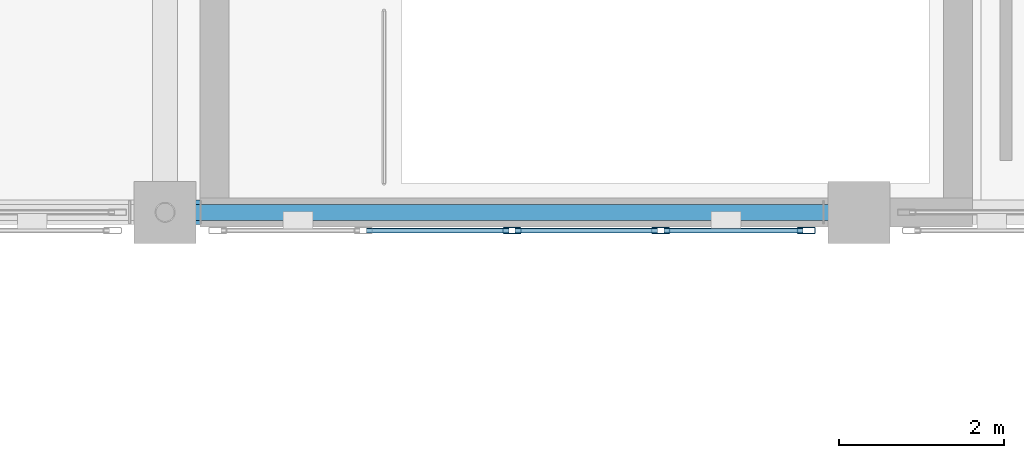
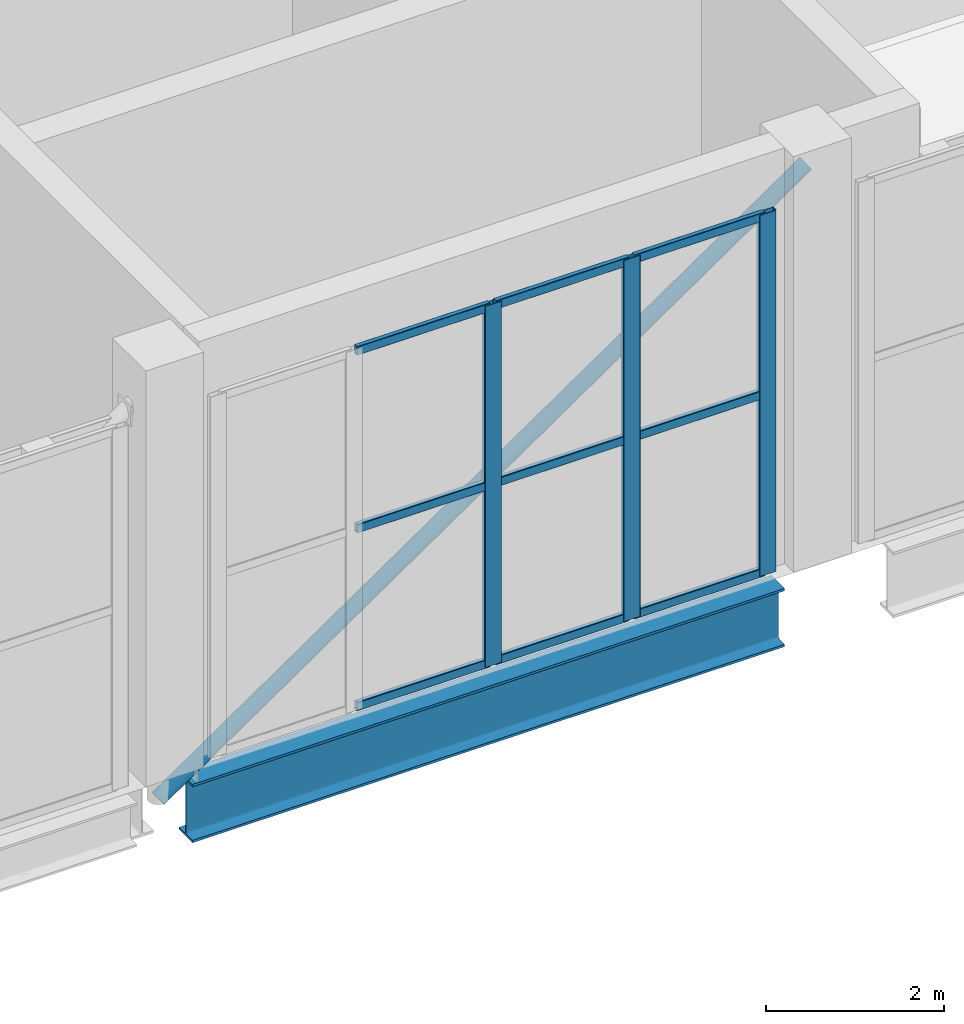
# One storey, part 4 of 49: 13 members, 1 beam, 1 element without a shape of its own.
"""IFC4 building model written with IfcOpenShell, lengths in metres."""

from ifc_helpers import new_model, si_unit, direction, frame, origin, origin_2d, place, context, subcontext, project, spatial, hollow_rectangle, hollow_circle, i_section, extrude, material, layer, layer_set, material_profile, profile_set, type_object, element, aggregate, save


model = new_model("IFC4")

# Units and contexts
model_context = context("Model", 3, precision=1e-05, world=origin(), true_north=direction((0.0, 1.0)))
body_context = subcontext(model_context, "Body", "Model", "MODEL_VIEW")
ifc_project = project(units=[si_unit("LENGTHUNIT", "METRE"), si_unit("AREAUNIT", "SQUARE_METRE"), si_unit("VOLUMEUNIT", "CUBIC_METRE"), si_unit("PLANEANGLEUNIT", "RADIAN"), si_unit("MASSUNIT", "GRAM", prefix="KILO")], contexts=[model_context])

# Site, building, storey
site_placement = place(None, origin())
site = spatial("IfcSite", under=ifc_project, at=site_placement, CompositionType="ELEMENT")
building_placement = place(site_placement, origin())
building = spatial("IfcBuilding", under=site, at=building_placement, Name="Zulmaris Art Gallery", CompositionType="ELEMENT")
storey_placement = place(building_placement, frame((0.0, 0.0, 20.699951171875)))
storey = spatial("IfcBuildingStorey", under=building, at=storey_placement, Name="L04", CompositionType="ELEMENT", Elevation=20.699951171875)

# Beam
ifc_material_1 = material(Name="Steel S355J2", Category="steel")
ifc_material_profile_1 = material_profile(ifc_material_1, i_section(OverallWidth=0.300048828125, OverallDepth=0.800048828125, WebThickness=0.017578125, FlangeThickness=0.032958984375, FilletRadius=0.030029296875, at=origin_2d()), Name="HEB 800")
ifc_profile_set_1 = profile_set([ifc_material_profile_1], Name="Steel S355J2")
beam_type = type_object("IfcBeamType", Name="BEAM-BM17", PredefinedType="BEAM", material=ifc_profile_set_1)
beam_placement = place(storey_placement, frame((32.760009765625, 21.60009765625, -0.760009765625), z_axis=(1.0, 0.0, 0.0), x_axis=(0.0, 1.0, 0.0)))
element("IfcBeam", 1, at=beam_placement, inside=storey, type_object=beam_type, Name="L04 X-girder (32.4..40.8, y=21.6)", PredefinedType="BEAM", context=body_context, shape_type="SweptSolid", body=[
    extrude(i_section(OverallWidth=0.300048828125, OverallDepth=0.800048828125, WebThickness=0.017578125, FlangeThickness=0.032958984375, FilletRadius=0.030029296875, at=origin_2d()), origin(), (0.0, 0.0, 1.0), 7.679931640625),
])

# Curtain wall, members
ifc_material_2 = material(Name="Perforated Bronze Art Deco Mashrabiya Screen", Category="aluminium")
ifc_layer = layer(ifc_material_2, 0.179931640625)
ifc_layer_set = layer_set([ifc_layer], Name="Perforated Bronze Art Deco Mashrabiya Screen")
curtain_wall_type = type_object("IfcCurtainWallType", Name="CW-CW06", PredefinedType="USERDEFINED", material=ifc_layer_set)
curtain_wall_placement = place(storey_placement, origin())
curtain_wall = element("IfcCurtainWall", 2, at=curtain_wall_placement, inside=storey, type_object=curtain_wall_type, Name="L04 Mashrabiya screen 179", ObjectType="MASHRABIYA SCREEN", PredefinedType="USERDEFINED")
ifc_material_3 = material(Name="Anodised Bronze Aluminium", Category="aluminium")
ifc_material_profile_2 = material_profile(ifc_material_3, hollow_rectangle(XDim=0.074951171875, YDim=0.219970703125, WallThickness=0.0048828125, InnerFilletRadius=0.007568359375, OuterFilletRadius=0.012451171875, at=origin_2d()), Name="ALU 75x220x5")
ifc_profile_set_2 = profile_set([ifc_material_profile_2], Name="Anodised Bronze Aluminium")
member_type_1 = type_object("IfcMemberType", Name="CWMUL-02", PredefinedType="MULLION", material=ifc_profile_set_2)
member_1_placement = place(storey_placement, frame((36.60009765625, 21.3798828125, 0.0), z_axis=(0.0, 0.0, 1.0), x_axis=(0.0, 1.0, 0.0)))
member_1 = element("IfcMember", 3, at=member_1_placement, type_object=member_type_1, Name="CW06 mullion 3", PredefinedType="MULLION", context=body_context, shape_type="SweptSolid", body=[
    extrude(hollow_rectangle(XDim=0.074951171875, YDim=0.219970703125, WallThickness=0.0048828125, InnerFilletRadius=0.007568359375, OuterFilletRadius=0.012451171875, at=origin_2d()), origin(), (0.0, 0.0, 1.0), 4.949951171875),
])
member_2_placement = place(storey_placement, frame((38.39990234375, 21.3798828125, 0.0), z_axis=(0.0, 0.0, 1.0), x_axis=(0.0, 1.0, 0.0)))
member_2 = element("IfcMember", 4, at=member_2_placement, type_object=member_type_1, Name="CW06 mullion 4", PredefinedType="MULLION", context=body_context, shape_type="SweptSolid", body=[
    extrude(hollow_rectangle(XDim=0.074951171875, YDim=0.219970703125, WallThickness=0.0048828125, InnerFilletRadius=0.007568359375, OuterFilletRadius=0.012451171875, at=origin_2d()), origin(), (0.0, 0.0, 1.0), 4.949951171875),
])
member_3_placement = place(storey_placement, frame((40.16259765625, 21.3798828125, 0.0), z_axis=(0.0, 0.0, 1.0), x_axis=(0.0, 1.0, 0.0)))
member_3 = element("IfcMember", 5, at=member_3_placement, type_object=member_type_1, Name="CW06 mullion 5", PredefinedType="MULLION", context=body_context, shape_type="SweptSolid", body=[
    extrude(hollow_rectangle(XDim=0.074951171875, YDim=0.219970703125, WallThickness=0.0048828125, InnerFilletRadius=0.007568359375, OuterFilletRadius=0.012451171875, at=origin_2d()), origin(), (0.0, 0.0, 1.0), 4.949951171875),
])
ifc_material_profile_3 = material_profile(ifc_material_3, hollow_rectangle(XDim=0.06494140625, YDim=0.1201171875, WallThickness=0.00390625, InnerFilletRadius=0.006103515625, OuterFilletRadius=0.010009765625, at=origin_2d()), Name="ALU 65x120x4")
ifc_profile_set_3 = profile_set([ifc_material_profile_3], Name="Anodised Bronze Aluminium")
member_type_2 = type_object("IfcMemberType", Name="CWTRN-03", PredefinedType="USERDEFINED", material=ifc_profile_set_3)
member_4_placement = place(storey_placement, frame((34.83740234375, 21.3798828125, 0.03759765625), z_axis=(1.0, 0.0, 0.0), x_axis=(0.0, 1.0, 0.0)))
member_4 = element("IfcMember", 6, at=member_4_placement, type_object=member_type_2, Name="CW06 transom 2.1", ObjectType="TRANSOM", PredefinedType="USERDEFINED", context=body_context, shape_type="SweptSolid", body=[
    extrude(hollow_rectangle(XDim=0.06494140625, YDim=0.1201171875, WallThickness=0.00390625, InnerFilletRadius=0.006103515625, OuterFilletRadius=0.010009765625, at=origin_2d()), origin(), (0.0, 0.0, 1.0), 1.72509765625),
])
member_5_placement = place(storey_placement, frame((34.83740234375, 21.3798828125, 2.47509765625), z_axis=(1.0, 0.0, 0.0), x_axis=(0.0, 1.0, 0.0)))
member_5 = element("IfcMember", 7, at=member_5_placement, type_object=member_type_2, Name="CW06 transom 2.2", ObjectType="TRANSOM", PredefinedType="USERDEFINED", context=body_context, shape_type="SweptSolid", body=[
    extrude(hollow_rectangle(XDim=0.06494140625, YDim=0.1201171875, WallThickness=0.00390625, InnerFilletRadius=0.006103515625, OuterFilletRadius=0.010009765625, at=origin_2d()), origin(), (0.0, 0.0, 1.0), 1.72509765625),
])
member_6_placement = place(storey_placement, frame((34.83740234375, 21.3798828125, 4.91259765625), z_axis=(1.0, 0.0, 0.0), x_axis=(0.0, 1.0, 0.0)))
member_6 = element("IfcMember", 8, at=member_6_placement, type_object=member_type_2, Name="CW06 transom 2.3", ObjectType="TRANSOM", PredefinedType="USERDEFINED", context=body_context, shape_type="SweptSolid", body=[
    extrude(hollow_rectangle(XDim=0.06494140625, YDim=0.1201171875, WallThickness=0.00390625, InnerFilletRadius=0.006103515625, OuterFilletRadius=0.010009765625, at=origin_2d()), origin(), (0.0, 0.0, 1.0), 1.72509765625),
])
member_7_placement = place(storey_placement, frame((36.637451171875, 21.3798828125, 0.03759765625), z_axis=(1.0, 0.0, 0.0), x_axis=(0.0, 1.0, 0.0)))
member_7 = element("IfcMember", 9, at=member_7_placement, type_object=member_type_2, Name="CW06 transom 3.1", ObjectType="TRANSOM", PredefinedType="USERDEFINED", context=body_context, shape_type="SweptSolid", body=[
    extrude(hollow_rectangle(XDim=0.06494140625, YDim=0.1201171875, WallThickness=0.00390625, InnerFilletRadius=0.006103515625, OuterFilletRadius=0.010009765625, at=origin_2d()), origin(), (0.0, 0.0, 1.0), 1.72509765625),
])
member_8_placement = place(storey_placement, frame((36.637451171875, 21.3798828125, 2.47509765625), z_axis=(1.0, 0.0, 0.0), x_axis=(0.0, 1.0, 0.0)))
member_8 = element("IfcMember", 10, at=member_8_placement, type_object=member_type_2, Name="CW06 transom 3.2", ObjectType="TRANSOM", PredefinedType="USERDEFINED", context=body_context, shape_type="SweptSolid", body=[
    extrude(hollow_rectangle(XDim=0.06494140625, YDim=0.1201171875, WallThickness=0.00390625, InnerFilletRadius=0.006103515625, OuterFilletRadius=0.010009765625, at=origin_2d()), origin(), (0.0, 0.0, 1.0), 1.72509765625),
])
member_9_placement = place(storey_placement, frame((36.637451171875, 21.3798828125, 4.91259765625), z_axis=(1.0, 0.0, 0.0), x_axis=(0.0, 1.0, 0.0)))
member_9 = element("IfcMember", 11, at=member_9_placement, type_object=member_type_2, Name="CW06 transom 3.3", ObjectType="TRANSOM", PredefinedType="USERDEFINED", context=body_context, shape_type="SweptSolid", body=[
    extrude(hollow_rectangle(XDim=0.06494140625, YDim=0.1201171875, WallThickness=0.00390625, InnerFilletRadius=0.006103515625, OuterFilletRadius=0.010009765625, at=origin_2d()), origin(), (0.0, 0.0, 1.0), 1.72509765625),
])
member_10_placement = place(storey_placement, frame((38.4375, 21.3798828125, 0.03759765625), z_axis=(1.0, 0.0, 0.0), x_axis=(0.0, 1.0, 0.0)))
member_10 = element("IfcMember", 12, at=member_10_placement, type_object=member_type_2, Name="CW06 transom 4.1", ObjectType="TRANSOM", PredefinedType="USERDEFINED", context=body_context, shape_type="SweptSolid", body=[
    extrude(hollow_rectangle(XDim=0.06494140625, YDim=0.1201171875, WallThickness=0.00390625, InnerFilletRadius=0.006103515625, OuterFilletRadius=0.010009765625, at=origin_2d()), origin(), (0.0, 0.0, 1.0), 1.6875),
])
member_11_placement = place(storey_placement, frame((38.4375, 21.3798828125, 2.47509765625), z_axis=(1.0, 0.0, 0.0), x_axis=(0.0, 1.0, 0.0)))
member_11 = element("IfcMember", 13, at=member_11_placement, type_object=member_type_2, Name="CW06 transom 4.2", ObjectType="TRANSOM", PredefinedType="USERDEFINED", context=body_context, shape_type="SweptSolid", body=[
    extrude(hollow_rectangle(XDim=0.06494140625, YDim=0.1201171875, WallThickness=0.00390625, InnerFilletRadius=0.006103515625, OuterFilletRadius=0.010009765625, at=origin_2d()), origin(), (0.0, 0.0, 1.0), 1.6875),
])
member_12_placement = place(storey_placement, frame((38.4375, 21.3798828125, 4.91259765625), z_axis=(1.0, 0.0, 0.0), x_axis=(0.0, 1.0, 0.0)))
member_12 = element("IfcMember", 14, at=member_12_placement, type_object=member_type_2, Name="CW06 transom 4.3", ObjectType="TRANSOM", PredefinedType="USERDEFINED", context=body_context, shape_type="SweptSolid", body=[
    extrude(hollow_rectangle(XDim=0.06494140625, YDim=0.1201171875, WallThickness=0.00390625, InnerFilletRadius=0.006103515625, OuterFilletRadius=0.010009765625, at=origin_2d()), origin(), (0.0, 0.0, 1.0), 1.6875),
])
aggregate(curtain_wall, [member_1, member_2, member_3, member_4, member_5, member_6, member_7, member_8, member_9, member_10, member_11, member_12])

# Member
ifc_material_4 = material(Name="Steel S355J2H", Category="steel")
ifc_material_profile_4 = material_profile(ifc_material_4, hollow_circle(Radius=0.096923828125, WallThickness=0.010009765625, at=origin_2d()), Name="CHS 193.7x10")
ifc_profile_set_4 = profile_set([ifc_material_profile_4], Name="Steel S355J2H")
member_type_3 = type_object("IfcMemberType", Name="MEM-TB02", PredefinedType="BRACE", material=ifc_profile_set_4)
member_13_placement = place(storey_placement, frame((32.39990234375, 21.60009765625, -0.517333984375), z_axis=(0.824397605142, 0.0, 0.566011120594), x_axis=(0.0, 1.0, 0.0)))
element("IfcMember", 15, at=member_13_placement, inside=storey, type_object=member_type_3, Name="Eaves cantilever raker 1-5", PredefinedType="BRACE", context=body_context, shape_type="SweptSolid", body=[
    extrude(hollow_circle(Radius=0.096923828125, WallThickness=0.010009765625, at=origin_2d()), origin(), (0.0, 0.0, 1.0), 10.189453125),
])

save(model, "model.ifc")
